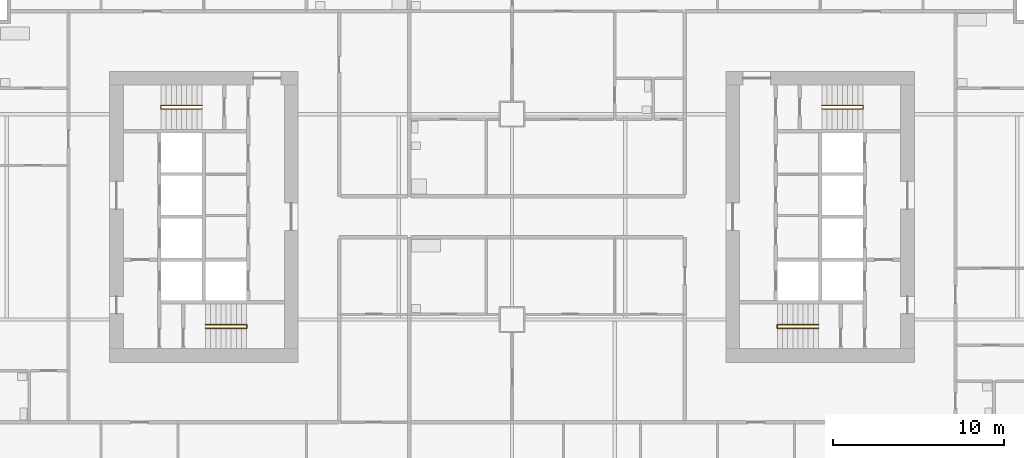
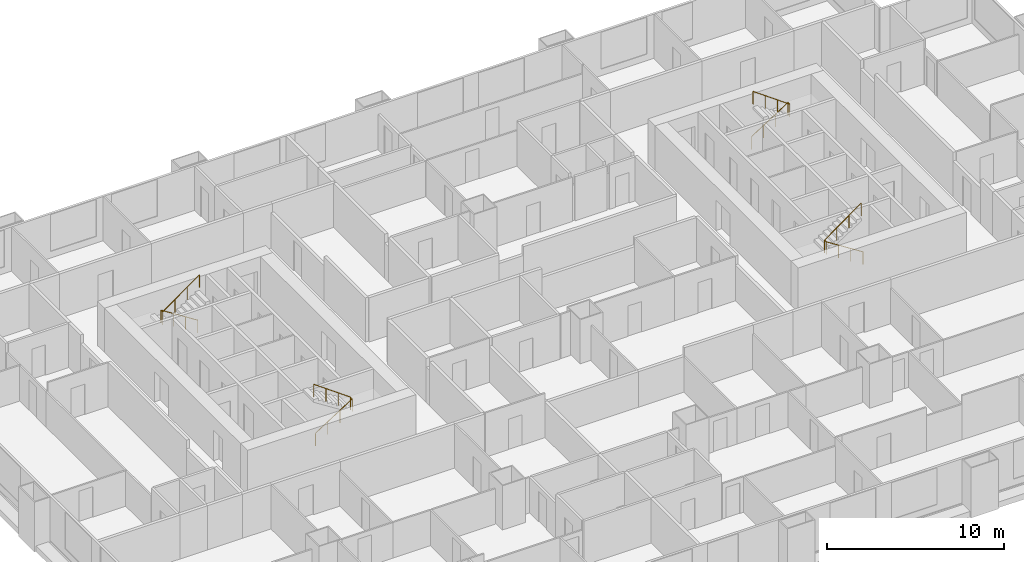
# One storey, part 12 of 13: 4 railings.
"""IFC4 building model written with IfcOpenShell, lengths in metres."""

from ifc_helpers import new_model, si_unit, direction, frame, origin, origin_2d, place, context, subcontext, project, spatial, circle, extrude, material, type_object, element, save


model = new_model("IFC4")

# Units and contexts
model_context = context("Model", 3, precision=1e-05, world=origin(), true_north=direction((0.0, 1.0)))
body_context = subcontext(model_context, "Body", "Model", "MODEL_VIEW")
ifc_project = project(units=[si_unit("LENGTHUNIT", "METRE"), si_unit("AREAUNIT", "SQUARE_METRE"), si_unit("VOLUMEUNIT", "CUBIC_METRE"), si_unit("PLANEANGLEUNIT", "RADIAN"), si_unit("MASSUNIT", "GRAM", prefix="KILO")], contexts=[model_context])

# Site, building, storey
site_placement = place(None, origin())
site = spatial("IfcSite", under=ifc_project, at=site_placement, CompositionType="ELEMENT")
building_placement = place(site_placement, origin())
building = spatial("IfcBuilding", under=site, at=building_placement, Name="Kitamizu Gate Tower and Museum", CompositionType="ELEMENT")
storey_placement = place(building_placement, frame((0.0, 0.0, 47.25)))
storey = spatial("IfcBuildingStorey", under=building, at=storey_placement, Name="L10", CompositionType="ELEMENT", Elevation=47.25)

# Railings
ifc_material = material(Name="Stainless steel SUS304", Category="steel")
railing_type = type_object("IfcRailingType", Name="Stair handrail 900", PredefinedType="HANDRAIL", material=ifc_material)
railing_1_placement = place(storey_placement, frame((18.10009765625, 23.5, 0.191650390625)))
element("IfcRailing", 1, at=railing_1_placement, inside=storey, type_object=railing_type, Name="Stair handrail ST1", PredefinedType="HANDRAIL", context=body_context, shape_type="SweptSolid", body=[
    extrude(circle(Radius=0.02392578125, at=origin_2d()), frame((0.0, 0.0, 0.8759765625), z_axis=(0.842668169335, 0.0, 0.538433242278), x_axis=(0.0, 1.0, 0.0)), (0.0, 0.0, 1.0), 2.847900390625),
    extrude(circle(Radius=0.02392578125, at=origin_2d()), frame((2.39990234375, 0.0, 2.4091796875), z_axis=(0.0, 1.0, 0.0), x_axis=(-1.0, 0.0, 0.0)), (0.0, 0.0, 1.0), 0.199951171875),
    extrude(circle(Radius=0.02392578125, at=origin_2d()), frame((2.39990234375, 0.199951171875, 2.4091796875), z_axis=(-0.81202760531, 0.0, 0.583619026604), x_axis=(0.0, -1.0, 0.0)), (0.0, 0.0, 1.0), 2.955322265625),
    extrude(circle(Radius=0.02099609375, at=origin_2d()), origin(), (0.0, 0.0, 1.0), 0.851806640625),
    extrude(circle(Radius=0.02099609375, at=origin_2d()), frame((0.800048828125, 0.0, 0.51123046875)), (0.0, 0.0, 1.0), 0.851806640625),
    extrude(circle(Radius=0.02099609375, at=origin_2d()), frame((1.599853515625, 0.0, 1.022216796875)), (0.0, 0.0, 1.0), 0.851806640625),
    extrude(circle(Radius=0.02099609375, at=origin_2d()), frame((2.39990234375, 0.0, 1.533447265625)), (0.0, 0.0, 1.0), 0.851806640625),
    extrude(circle(Radius=0.02099609375, at=origin_2d()), frame((2.39990234375, 0.199951171875, 1.533447265625)), (0.0, 0.0, 1.0), 0.851806640625),
    extrude(circle(Radius=0.02099609375, at=origin_2d()), frame((1.599853515625, 0.199951171875, 2.1083984375)), (0.0, 0.0, 1.0), 0.851806640625),
    extrude(circle(Radius=0.02099609375, at=origin_2d()), frame((0.800048828125, 0.199951171875, 2.683349609375)), (0.0, 0.0, 1.0), 0.851806640625),
    extrude(circle(Radius=0.02099609375, at=origin_2d()), frame((0.0, 0.199951171875, 3.25830078125)), (0.0, 0.0, 1.0), 0.851806640625),
])
railing_2_placement = place(storey_placement, frame((17.89990234375, 36.5, 0.191650390625)))
element("IfcRailing", 2, at=railing_2_placement, inside=storey, type_object=railing_type, Name="Stair handrail ST2", PredefinedType="HANDRAIL", context=body_context, shape_type="SweptSolid", body=[
    extrude(circle(Radius=0.02392578125, at=origin_2d()), frame((0.0, 0.0, 0.8759765625), z_axis=(-0.842668169335, 0.0, 0.538433242278), x_axis=(0.0, -1.0, 0.0)), (0.0, 0.0, 1.0), 2.847900390625),
    extrude(circle(Radius=0.02392578125, at=origin_2d()), frame((-2.39990234375, 0.0, 2.4091796875), z_axis=(0.0, -1.0, 0.0), x_axis=(1.0, 0.0, 0.0)), (0.0, 0.0, 1.0), 0.199951171875),
    extrude(circle(Radius=0.02392578125, at=origin_2d()), frame((-2.39990234375, -0.199951171875, 2.4091796875), z_axis=(0.81202760531, 0.0, 0.583619026604), x_axis=(0.0, 1.0, 0.0)), (0.0, 0.0, 1.0), 2.955322265625),
    extrude(circle(Radius=0.02099609375, at=origin_2d()), origin(), (0.0, 0.0, 1.0), 0.851806640625),
    extrude(circle(Radius=0.02099609375, at=origin_2d()), frame((-0.800048828125, 0.0, 0.51123046875)), (0.0, 0.0, 1.0), 0.851806640625),
    extrude(circle(Radius=0.02099609375, at=origin_2d()), frame((-1.599853515625, 0.0, 1.022216796875)), (0.0, 0.0, 1.0), 0.851806640625),
    extrude(circle(Radius=0.02099609375, at=origin_2d()), frame((-2.39990234375, 0.0, 1.533447265625)), (0.0, 0.0, 1.0), 0.851806640625),
    extrude(circle(Radius=0.02099609375, at=origin_2d()), frame((-2.39990234375, -0.199951171875, 1.533447265625)), (0.0, 0.0, 1.0), 0.851806640625),
    extrude(circle(Radius=0.02099609375, at=origin_2d()), frame((-1.599853515625, -0.199951171875, 2.1083984375)), (0.0, 0.0, 1.0), 0.851806640625),
    extrude(circle(Radius=0.02099609375, at=origin_2d()), frame((-0.800048828125, -0.199951171875, 2.683349609375)), (0.0, 0.0, 1.0), 0.851806640625),
    extrude(circle(Radius=0.02099609375, at=origin_2d()), frame((0.0, -0.199951171875, 3.25830078125)), (0.0, 0.0, 1.0), 0.851806640625),
])
railing_3_placement = place(storey_placement, frame((53.89990234375, 23.5, 0.191650390625)))
element("IfcRailing", 3, at=railing_3_placement, inside=storey, type_object=railing_type, Name="Stair handrail ST3", PredefinedType="HANDRAIL", context=body_context, shape_type="SweptSolid", body=[
    extrude(circle(Radius=0.02392578125, at=origin_2d()), frame((0.0, 0.0, 0.8759765625), z_axis=(-0.842668169335, 0.0, 0.538433242278), x_axis=(0.0, -1.0, 0.0)), (0.0, 0.0, 1.0), 2.847900390625),
    extrude(circle(Radius=0.02392578125, at=origin_2d()), frame((-2.39990234375, 0.0, 2.4091796875), z_axis=(0.0, 1.0, 0.0), x_axis=(-1.0, 0.0, 0.0)), (0.0, 0.0, 1.0), 0.199951171875),
    extrude(circle(Radius=0.02392578125, at=origin_2d()), frame((-2.39990234375, 0.199951171875, 2.4091796875), z_axis=(0.81202760531, 0.0, 0.583619026604), x_axis=(0.0, 1.0, 0.0)), (0.0, 0.0, 1.0), 2.955322265625),
    extrude(circle(Radius=0.02099609375, at=origin_2d()), origin(), (0.0, 0.0, 1.0), 0.851806640625),
    extrude(circle(Radius=0.02099609375, at=origin_2d()), frame((-0.800048828125, 0.0, 0.51123046875)), (0.0, 0.0, 1.0), 0.851806640625),
    extrude(circle(Radius=0.02099609375, at=origin_2d()), frame((-1.599853515625, 0.0, 1.022216796875)), (0.0, 0.0, 1.0), 0.851806640625),
    extrude(circle(Radius=0.02099609375, at=origin_2d()), frame((-2.39990234375, 0.0, 1.533447265625)), (0.0, 0.0, 1.0), 0.851806640625),
    extrude(circle(Radius=0.02099609375, at=origin_2d()), frame((-2.39990234375, 0.199951171875, 1.533447265625)), (0.0, 0.0, 1.0), 0.851806640625),
    extrude(circle(Radius=0.02099609375, at=origin_2d()), frame((-1.599853515625, 0.199951171875, 2.1083984375)), (0.0, 0.0, 1.0), 0.851806640625),
    extrude(circle(Radius=0.02099609375, at=origin_2d()), frame((-0.800048828125, 0.199951171875, 2.683349609375)), (0.0, 0.0, 1.0), 0.851806640625),
    extrude(circle(Radius=0.02099609375, at=origin_2d()), frame((0.0, 0.199951171875, 3.25830078125)), (0.0, 0.0, 1.0), 0.851806640625),
])
railing_4_placement = place(storey_placement, frame((54.10009765625, 36.5, 0.191650390625)))
element("IfcRailing", 4, at=railing_4_placement, inside=storey, type_object=railing_type, Name="Stair handrail ST4", PredefinedType="HANDRAIL", context=body_context, shape_type="SweptSolid", body=[
    extrude(circle(Radius=0.02392578125, at=origin_2d()), frame((0.0, 0.0, 0.8759765625), z_axis=(0.842668169335, 0.0, 0.538433242278), x_axis=(0.0, 1.0, 0.0)), (0.0, 0.0, 1.0), 2.847900390625),
    extrude(circle(Radius=0.02392578125, at=origin_2d()), frame((2.39990234375, 0.0, 2.4091796875), z_axis=(0.0, -1.0, 0.0), x_axis=(1.0, 0.0, 0.0)), (0.0, 0.0, 1.0), 0.199951171875),
    extrude(circle(Radius=0.02392578125, at=origin_2d()), frame((2.39990234375, -0.199951171875, 2.4091796875), z_axis=(-0.81202760531, 0.0, 0.583619026604), x_axis=(0.0, -1.0, 0.0)), (0.0, 0.0, 1.0), 2.955322265625),
    extrude(circle(Radius=0.02099609375, at=origin_2d()), origin(), (0.0, 0.0, 1.0), 0.851806640625),
    extrude(circle(Radius=0.02099609375, at=origin_2d()), frame((0.800048828125, 0.0, 0.51123046875)), (0.0, 0.0, 1.0), 0.851806640625),
    extrude(circle(Radius=0.02099609375, at=origin_2d()), frame((1.599853515625, 0.0, 1.022216796875)), (0.0, 0.0, 1.0), 0.851806640625),
    extrude(circle(Radius=0.02099609375, at=origin_2d()), frame((2.39990234375, 0.0, 1.533447265625)), (0.0, 0.0, 1.0), 0.851806640625),
    extrude(circle(Radius=0.02099609375, at=origin_2d()), frame((2.39990234375, -0.199951171875, 1.533447265625)), (0.0, 0.0, 1.0), 0.851806640625),
    extrude(circle(Radius=0.02099609375, at=origin_2d()), frame((1.599853515625, -0.199951171875, 2.1083984375)), (0.0, 0.0, 1.0), 0.851806640625),
    extrude(circle(Radius=0.02099609375, at=origin_2d()), frame((0.800048828125, -0.199951171875, 2.683349609375)), (0.0, 0.0, 1.0), 0.851806640625),
    extrude(circle(Radius=0.02099609375, at=origin_2d()), frame((0.0, -0.199951171875, 3.25830078125)), (0.0, 0.0, 1.0), 0.851806640625),
])

save(model, "model.ifc")
